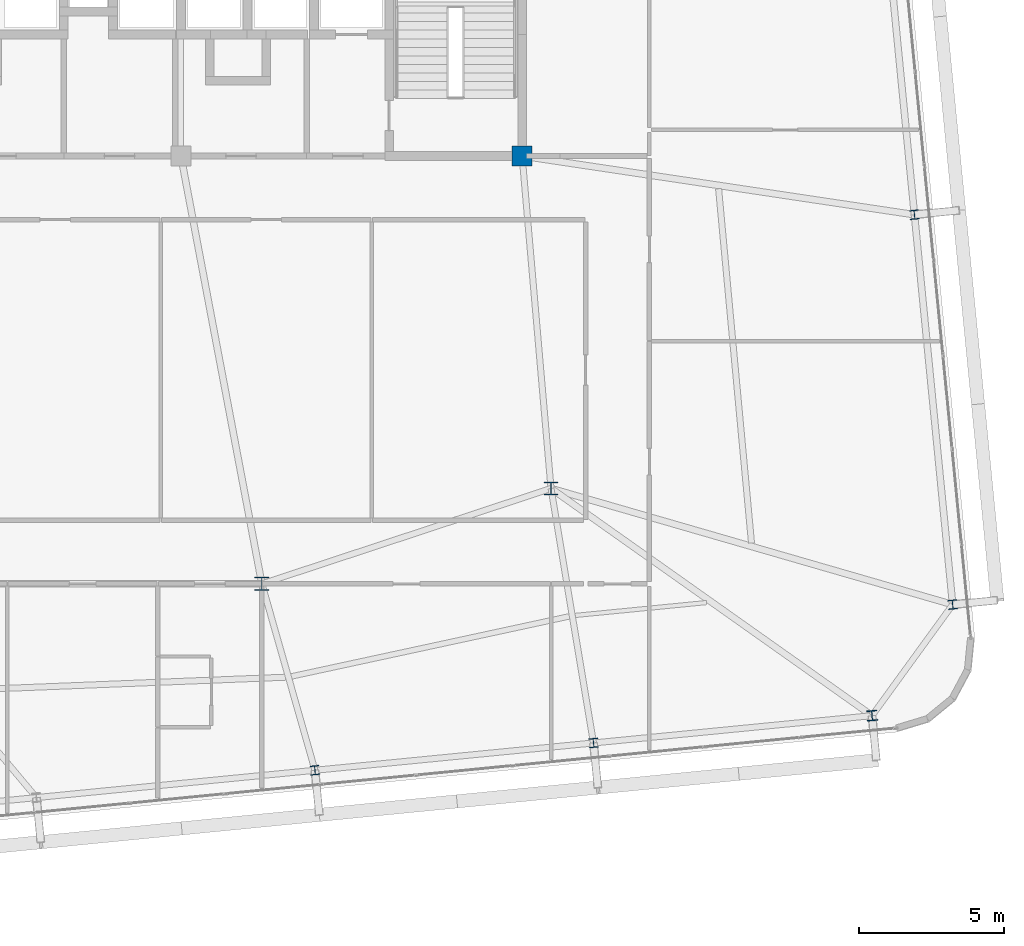
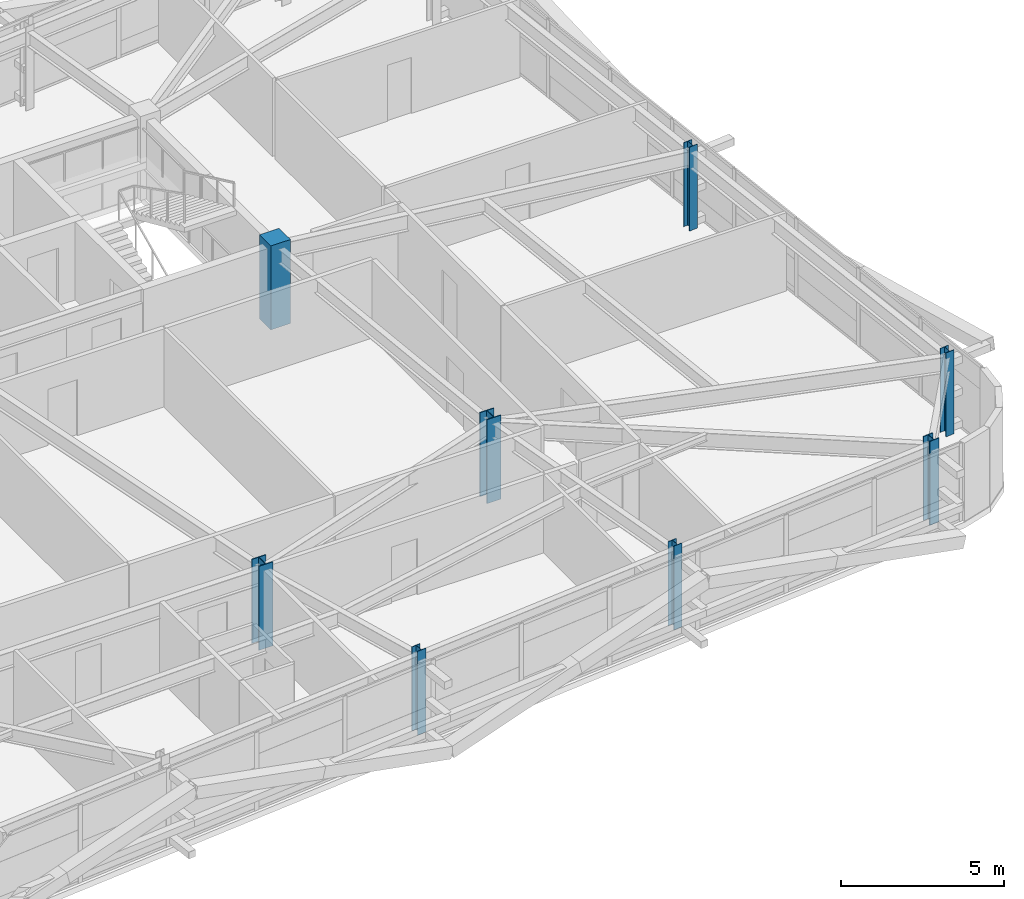
# One storey, part 2 of 52: 8 columns.
"""IFC4 building model written with IfcOpenShell, lengths in metres."""

from ifc_helpers import new_model, si_unit, direction, frame, origin, origin_2d, place, context, subcontext, project, spatial, rectangle, i_section, extrude, source, transform, mapped, material, material_profile, profile_set, type_object, element, save


model = new_model("IFC4")

# Units and contexts
model_context = context("Model", 3, precision=1e-05, world=origin(), true_north=direction((0.0, 1.0)))
body_context = subcontext(model_context, "Body", "Model", "MODEL_VIEW")
ifc_project = project(units=[si_unit("LENGTHUNIT", "METRE"), si_unit("AREAUNIT", "SQUARE_METRE"), si_unit("VOLUMEUNIT", "CUBIC_METRE"), si_unit("PLANEANGLEUNIT", "RADIAN"), si_unit("MASSUNIT", "GRAM", prefix="KILO")], contexts=[model_context])

# Site, building, storey
site_placement = place(None, origin())
site = spatial("IfcSite", under=ifc_project, at=site_placement, CompositionType="ELEMENT")
building_placement = place(site_placement, origin())
building = spatial("IfcBuilding", under=site, at=building_placement, Name="Taldren Reach Tower", CompositionType="ELEMENT")
storey_placement = place(building_placement, frame((0.0, 0.0, 96.60009765625)))
storey = spatial("IfcBuildingStorey", under=building, at=storey_placement, Name="L29", CompositionType="ELEMENT", Elevation=96.60009765625)

# Columns
ifc_material_1 = material(Name="Steel Gr 350 (350PLUS)", Category="steel")
ifc_material_profile_1 = material_profile(ifc_material_1, i_section(OverallWidth=0.5, OverallDepth=0.464111328125, WebThickness=0.02197265625, FlangeThickness=0.033935546875, at=origin_2d()), Name="500WC340")
ifc_profile_set_1 = profile_set([ifc_material_profile_1], Name="Steel Gr 350 (350PLUS)")
column_type_1 = type_object("IfcColumnType", Name="COL-WC500B", PredefinedType="COLUMN", material=ifc_profile_set_1)
shared_shape_1 = source(origin(), body_context, "Body", "SweptSolid", [
    extrude(i_section(OverallWidth=0.5, OverallDepth=0.464111328125, WebThickness=0.02197265625, FlangeThickness=0.033935546875, at=origin_2d()), origin(), (0.0, 0.0, 1.0), 3.14990234375),
])
for number, where, z_axis, x_axis, name in (
    (1, (42.0, 9.199951171875, 0.0), (0.0, 0.0, 1.0), (1.0, 0.0, 0.0), "Mega column MC-PJE L29"),
    (2, (52.0, 12.5, 0.0), (0.0, 0.0, 1.0), (1.0, 0.0, 0.0), "Mega column MC-SE L29"),
):
    element("IfcColumn", number, at=place(storey_placement, frame(where, z_axis=z_axis, x_axis=x_axis)), inside=storey, type_object=column_type_1, Name=name, PredefinedType="COLUMN", context=body_context, shape_type="MappedRepresentation", body=[
        mapped(shared_shape_1, transform((0.0, 0.0, 0.0), scale=1.0)),
    ])
ifc_material_2 = material(Name="Concrete S65 (65 MPa)", Category="concrete")
ifc_material_profile_2 = material_profile(ifc_material_2, rectangle(XDim=0.699951171875, YDim=0.699951171875, at=origin_2d()), Name="RC-700x700")
ifc_profile_set_2 = profile_set([ifc_material_profile_2], Name="Concrete S65 (65 MPa)")
column_type_2 = type_object("IfcColumnType", Name="COL-RC700", PredefinedType="COLUMN", material=ifc_profile_set_2)
shared_shape_2 = source(origin(), body_context, "Body", "SweptSolid", [
    extrude(rectangle(XDim=0.699951171875, YDim=0.699951171875, at=origin_2d()), origin(), (0.0, 0.0, 1.0), 3.14990234375),
])
column_1_placement = place(storey_placement, frame((51.0, 24.0, 0.0), z_axis=(0.0, 0.0, 1.0), x_axis=(1.0, 0.0, 0.0)))
element("IfcColumn", 3, at=column_1_placement, inside=storey, type_object=column_type_2, Name="Mega column MC-C4 L29", PredefinedType="COLUMN", context=body_context, shape_type="MappedRepresentation", body=[
    mapped(shared_shape_2, transform((0.0, 0.0, 0.0), scale=1.0)),
])
ifc_material_profile_3 = material_profile(ifc_material_1, i_section(OverallWidth=0.35009765625, OverallDepth=0.35595703125, WebThickness=0.01806640625, FlangeThickness=0.028076171875, at=origin_2d()), Name="350WC197")
ifc_profile_set_3 = profile_set([ifc_material_profile_3], Name="Steel Gr 350 (350PLUS)")
column_type_3 = type_object("IfcColumnType", Name="COL-WC350", PredefinedType="COLUMN", material=ifc_profile_set_3)
shared_shape_3 = source(origin(), body_context, "Body", "SweptSolid", [
    extrude(i_section(OverallWidth=0.35009765625, OverallDepth=0.35595703125, WebThickness=0.01806640625, FlangeThickness=0.028076171875, at=origin_2d()), origin(), (0.0, 0.0, 1.0), 3.14990234375),
])
column_2_placement = place(storey_placement, frame((63.103271484375, 4.64306640625, 0.0), z_axis=(0.0, 0.0, 1.0), x_axis=(0.995227399982, 0.097582899759, 0.0)))
element("IfcColumn", 4, at=column_2_placement, inside=storey, type_object=column_type_3, Name="Block B2 perimeter column S6 L29", PredefinedType="COLUMN", context=body_context, shape_type="MappedRepresentation", body=[
    mapped(shared_shape_3, transform((0.0, 0.0, 0.0), scale=1.0)),
])
ifc_material_profile_4 = material_profile(ifc_material_1, i_section(OverallWidth=0.306884765625, OverallDepth=0.31494140625, WebThickness=0.011962890625, FlangeThickness=0.018798828125, at=origin_2d()), Name="310UC118")
ifc_profile_set_4 = profile_set([ifc_material_profile_4], Name="Steel Gr 350 (350PLUS)")
column_type_4 = type_object("IfcColumnType", Name="COL-UC310B", PredefinedType="COLUMN", material=ifc_profile_set_4)
shared_shape_4 = source(origin(), body_context, "Body", "SweptSolid", [
    extrude(i_section(OverallWidth=0.306884765625, OverallDepth=0.31494140625, WebThickness=0.011962890625, FlangeThickness=0.018798828125, at=origin_2d()), origin(), (0.0, 0.0, 1.0), 3.14990234375),
])
for number, where, z_axis, x_axis, name in (
    (5, (43.83544921875, 2.75390625, 0.0), (0.0, 0.0, 1.0), (0.995227399982, 0.097582899759, 0.0), "Block B2 perimeter column S4 L29"),
    (6, (53.469482421875, 3.698486328125, 0.0), (0.0, 0.0, 1.0), (0.995227399982, 0.097582899759, 0.0), "Block B2 perimeter column S5 L29"),
    (7, (65.8916015625, 8.483642578125, 0.0), (0.0, 0.0, 1.0), (0.995227399982, 0.097582899759, 0.0), "Block B2 perimeter column E1 L29"),
    (8, (64.569580078125, 21.968994140625, 0.0), (0.0, 0.0, 1.0), (0.995227399982, 0.097582899759, 0.0), "Block B2 perimeter column E2 L29"),
):
    element("IfcColumn", number, at=place(storey_placement, frame(where, z_axis=z_axis, x_axis=x_axis)), inside=storey, type_object=column_type_4, Name=name, PredefinedType="COLUMN", context=body_context, shape_type="MappedRepresentation", body=[
        mapped(shared_shape_4, transform((0.0, 0.0, 0.0), scale=1.0)),
    ])

save(model, "model.ifc")
